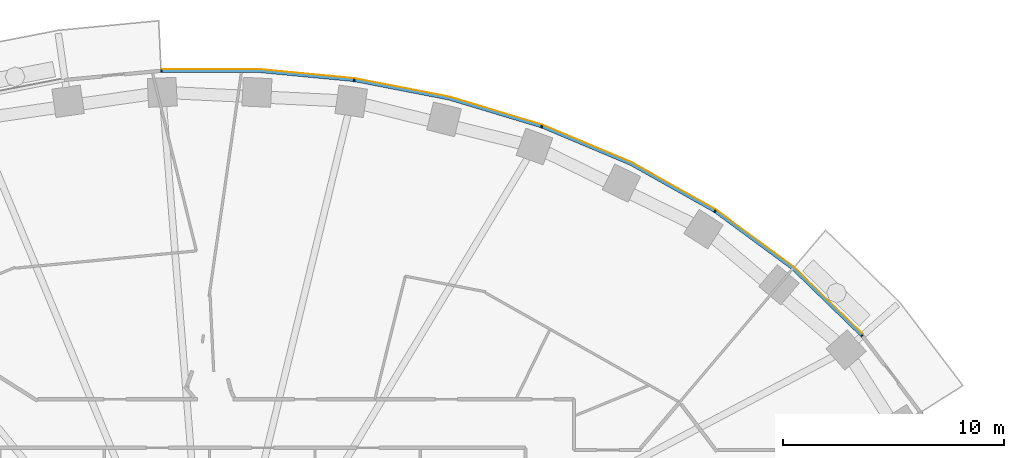
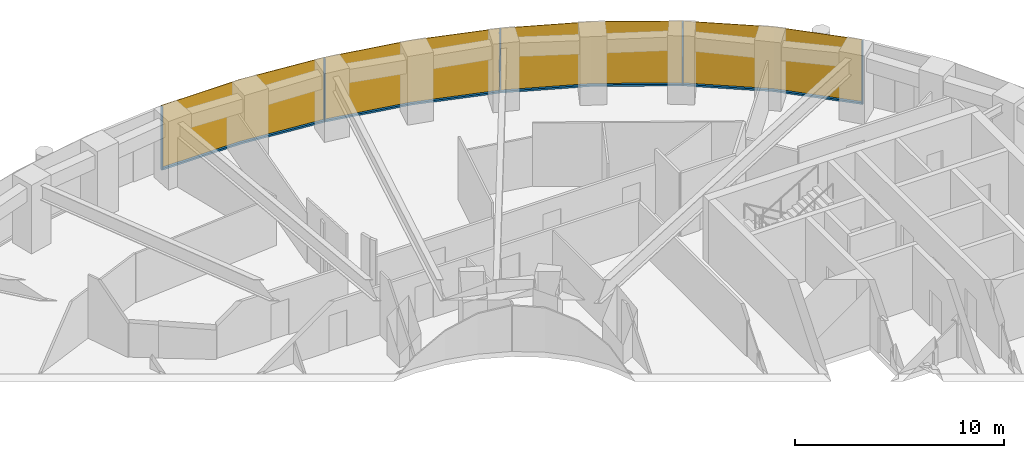
# One storey, part 13 of 16: 9 members, 1 curtain wall.
"""IFC4 building model written with IfcOpenShell, lengths in metres."""

from ifc_helpers import new_model, si_unit, direction, frame, origin, origin_2d, place, context, subcontext, project, spatial, polyline, rectangle, outline, extrude, material, layer, layer_set, material_profile, profile_set, type_object, element, aggregate, save


model = new_model("IFC4")

# Units and contexts
model_context = context("Model", 3, precision=1e-05, world=origin(), true_north=direction((0.0, 1.0)))
body_context = subcontext(model_context, "Body", "Model", "MODEL_VIEW")
ifc_project = project(units=[si_unit("LENGTHUNIT", "METRE"), si_unit("AREAUNIT", "SQUARE_METRE"), si_unit("VOLUMEUNIT", "CUBIC_METRE"), si_unit("PLANEANGLEUNIT", "RADIAN"), si_unit("MASSUNIT", "GRAM", prefix="KILO")], contexts=[model_context])

# Member
ifc_material_1 = material(Name="Aluminium 6063-T6 black anodised", Category="aluminium")
ifc_material_profile = material_profile(ifc_material_1, rectangle(XDim=0.1201171875, YDim=0.06005859375, at=origin_2d()), Name="120x60")
ifc_profile_set = profile_set([ifc_material_profile], Name="Aluminium 6063-T6 black anodised")
member_type_1 = type_object("IfcMemberType", Name="ENV-MULLION-A-120", PredefinedType="MULLION", material=ifc_profile_set)
site_placement = place(None, origin())
building_placement = place(site_placement, origin())
storey_placement = place(building_placement, frame((0.0, 0.0, 96.0)))
member_1_placement = place(storey_placement, frame((29.53857421875, 15.8671875, 0.0), z_axis=(0.0, 0.0, 1.0), x_axis=(-0.749047221705, -0.662516610853, 0.0)))
member_1 = element("IfcMember", 1, at=member_1_placement, type_object=member_type_1, Name="Mullion A radial 05", PredefinedType="MULLION", context=body_context, shape_type="SweptSolid", body=[
    extrude(rectangle(XDim=0.1201171875, YDim=0.06005859375, at=origin_2d()), origin(), (0.0, 0.0, 1.0), 3.699951171875),
])

member_2_placement = place(storey_placement, frame((22.882568359375, 21.506591796875, 0.0), z_axis=(0.0, 0.0, 1.0), x_axis=(-0.542279153225, -0.840198381323, 0.0)))
member_2 = element("IfcMember", 2, at=member_2_placement, type_object=member_type_1, Name="Mullion A radial 07", PredefinedType="MULLION", context=body_context, shape_type="SweptSolid", body=[
    extrude(rectangle(XDim=0.1201171875, YDim=0.06005859375, at=origin_2d()), origin(), (0.0, 0.0, 1.0), 3.699951171875),
])

member_3_placement = place(storey_placement, frame((15.0341796875, 25.34375, 0.0), z_axis=(0.0, 0.0, 1.0), x_axis=(-0.338379256581, -0.941009818608, 0.0)))
member_3 = element("IfcMember", 3, at=member_3_placement, type_object=member_type_1, Name="Mullion A radial 09", PredefinedType="MULLION", context=body_context, shape_type="SweptSolid", body=[
    extrude(rectangle(XDim=0.1201171875, YDim=0.06005859375, at=origin_2d()), origin(), (0.0, 0.0, 1.0), 3.699951171875),
])

member_4_placement = place(storey_placement, frame((6.54638671875, 27.440185546875, 0.0), z_axis=(0.0, 0.0, 1.0), x_axis=(-0.143082012705, -0.989710835366, 0.0)))
member_4 = element("IfcMember", 4, at=member_4_placement, type_object=member_type_1, Name="Mullion A radial 11", PredefinedType="MULLION", context=body_context, shape_type="SweptSolid", body=[
    extrude(rectangle(XDim=0.1201171875, YDim=0.06005859375, at=origin_2d()), origin(), (0.0, 0.0, 1.0), 3.699951171875),
])

member_5_placement = place(storey_placement, frame((-2.188720703125, 27.856201171875, 0.0), z_axis=(0.0, 0.0, 1.0), x_axis=(0.047557873581, -0.998868484166, 0.0)))
member_5 = element("IfcMember", 5, at=member_5_placement, type_object=member_type_1, Name="Mullion A radial 13", PredefinedType="MULLION", context=body_context, shape_type="SweptSolid", body=[
    extrude(rectangle(XDim=0.1201171875, YDim=0.06005859375, at=origin_2d()), origin(), (0.0, 0.0, 1.0), 3.699951171875),
])

ifc_material_2 = material(Name="Aluminium 6063-T6 black anodised", Category="aluminium")
member_type_2 = type_object("IfcMemberType", Name="ENV-TRANSOM-A", PredefinedType="USERDEFINED", material=ifc_material_2)
member_6_placement = place(storey_placement, origin())
member_6 = element("IfcMember", 6, at=member_6_placement, type_object=member_type_2, Name="Transom A radial 05-07", ObjectType="TRANSOM", PredefinedType="USERDEFINED", context=body_context, shape_type="SweptSolid", body=[
    extrude(outline(polyline([(29.5634765625, 15.926513671875), (26.4423828125, 18.958740234375), (22.937744140625, 21.540283203125), (22.87255859375, 21.439208984375), (26.364501953125, 18.866943359375), (29.473388671875, 15.8466796875), (29.5634765625, 15.926513671875)])), origin(), (0.0, 0.0, 1.0), 0.10009765625),
])

member_7_placement = place(storey_placement, origin())
member_7 = element("IfcMember", 7, at=member_7_placement, type_object=member_type_2, Name="Transom A radial 07-09", ObjectType="TRANSOM", PredefinedType="USERDEFINED", context=body_context, shape_type="SweptSolid", body=[
    extrude(outline(polyline([(22.890625, 21.570556640625), (19.093994140625, 23.701416015625), (15.080322265625, 25.389404296875), (15.03955078125, 25.276123046875), (19.041259765625, 23.593505859375), (22.825439453125, 21.469482421875), (22.890625, 21.570556640625)])), origin(), (0.0, 0.0, 1.0), 0.10009765625),
])

member_8_placement = place(storey_placement, origin())
member_8 = element("IfcMember", 8, at=member_8_placement, type_object=member_type_2, Name="Transom A radial 09-11", ObjectType="TRANSOM", PredefinedType="USERDEFINED", context=body_context, shape_type="SweptSolid", body=[
    extrude(outline(polyline([(15.027587890625, 25.408203125), (10.857666015625, 26.6630859375), (6.58251953125, 27.494140625), (6.5654296875, 27.375244140625), (10.828857421875, 26.54638671875), (14.987060546875, 25.295166015625), (15.027587890625, 25.408203125)])), origin(), (0.0, 0.0, 1.0), 0.10009765625),
])

member_9_placement = place(storey_placement, origin())
member_9 = element("IfcMember", 9, at=member_9_placement, type_object=member_type_2, Name="Transom A radial 11-13", ObjectType="TRANSOM", PredefinedType="USERDEFINED", context=body_context, shape_type="SweptSolid", body=[
    extrude(outline(polyline([(6.527099609375, 27.502197265625), (2.191650390625, 27.916015625), (-2.163818359375, 27.916015625), (-2.157958984375, 27.7958984375), (2.185791015625, 27.7958984375), (6.510009765625, 27.38330078125), (6.527099609375, 27.502197265625)])), origin(), (0.0, 0.0, 1.0), 0.10009765625),
])

# Site, building, storey
site = spatial("IfcSite", under=ifc_project, at=site_placement, CompositionType="ELEMENT")
building = spatial("IfcBuilding", under=site, at=building_placement, Name="Noorbagh Ring Tower", CompositionType="ELEMENT")
storey = spatial("IfcBuildingStorey", under=building, at=storey_placement, Name="L21", CompositionType="ELEMENT", Elevation=96.0)

# Curtain wall
ifc_material_3 = material(Name="Glass dark tinted laminated", Category="glass")
ifc_layer = layer(ifc_material_3, 0.031982421875)
ifc_layer_set = layer_set([ifc_layer], Name="Glass dark tinted laminated")
curtain_wall_type = type_object("IfcCurtainWallType", Name="ENV-CW-A", PredefinedType="NOTDEFINED", material=ifc_layer_set)
curtain_wall_placement = place(storey_placement, origin())
curtain_wall = element("IfcCurtainWall", 10, at=curtain_wall_placement, inside=storey, type_object=curtain_wall_type, Name="Curtain wall A R05", PredefinedType="NOTDEFINED", context=body_context, shape_type="SweptSolid", body=[
    extrude(outline(polyline([(29.59326171875, 15.942138671875), (26.463134765625, 18.9833984375), (22.9326171875, 21.583740234375), (19.108154296875, 23.730224609375), (15.065185546875, 25.430419921875), (10.865234375, 26.6943359375), (6.559814453125, 27.53125), (2.193115234375, 27.947998046875), (-2.173095703125, 27.947998046875), (-2.171630859375, 27.916015625), (2.191650390625, 27.916015625), (6.55517578125, 27.49951171875), (10.857666015625, 26.6630859375), (15.054443359375, 25.400146484375), (19.093994140625, 23.701416015625), (22.9150390625, 21.556884765625), (26.4423828125, 18.958740234375), (29.569091796875, 15.9208984375), (29.59326171875, 15.942138671875)])), origin(), (0.0, 0.0, 1.0), 3.699951171875),
])

aggregate(curtain_wall, [member_1, member_2, member_3, member_4, member_5, member_6, member_7, member_8, member_9])

save(model, "model.ifc")
